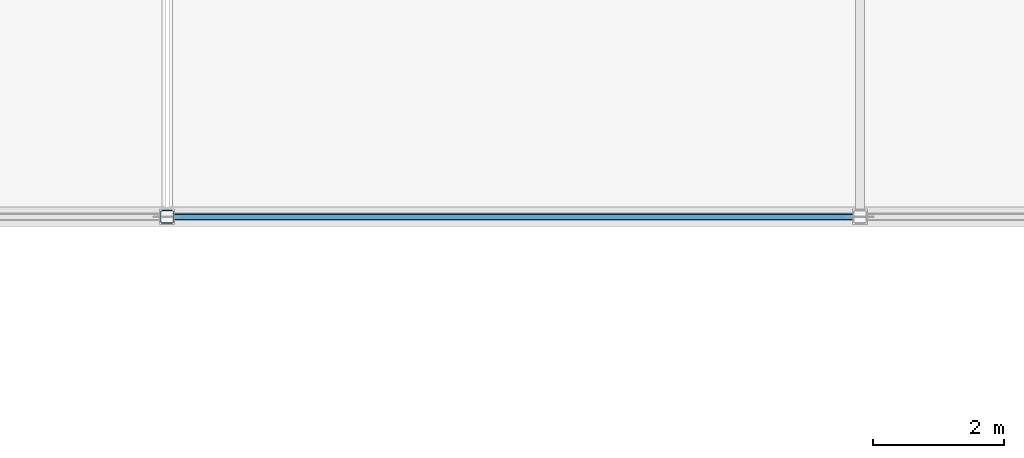
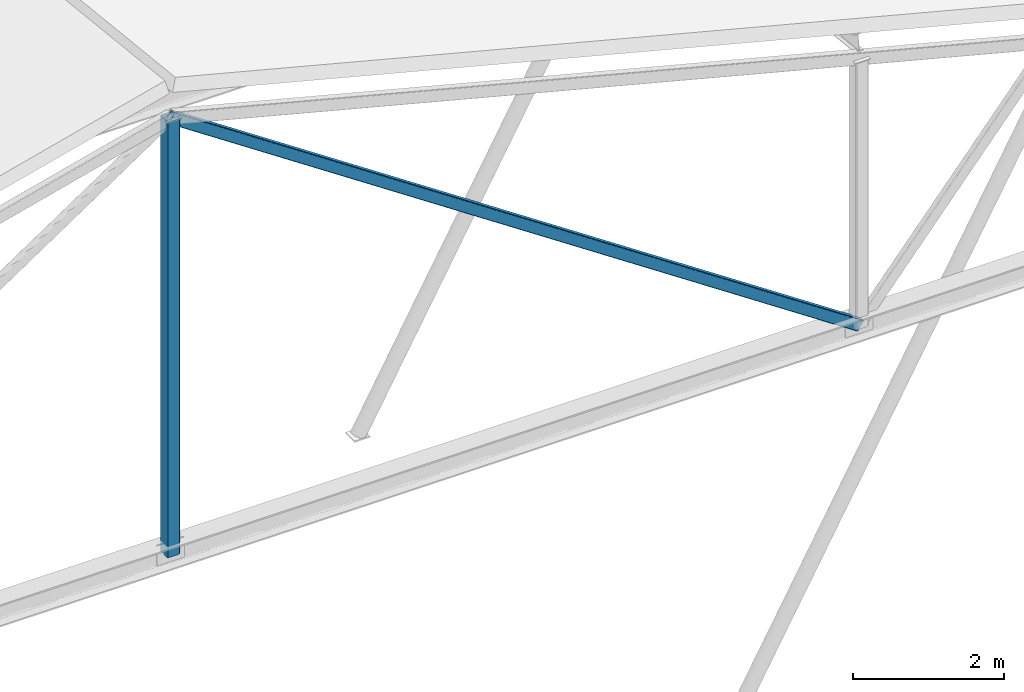
# One storey, part 10 of 56: 2 members.
"""IFC4 building model written with IfcOpenShell, lengths in metres."""

from ifc_helpers import new_model, si_unit, direction, frame, origin, origin_2d, place, context, subcontext, project, spatial, hollow_rectangle, extrude, material, material_profile, profile_set, type_object, element, save


model = new_model("IFC4")

# Units and contexts
model_context = context("Model", 3, precision=1e-05, world=origin(), true_north=direction((0.0, 1.0)))
body_context = subcontext(model_context, "Body", "Model", "MODEL_VIEW")
ifc_project = project(units=[si_unit("LENGTHUNIT", "METRE"), si_unit("AREAUNIT", "SQUARE_METRE"), si_unit("VOLUMEUNIT", "CUBIC_METRE"), si_unit("PLANEANGLEUNIT", "RADIAN"), si_unit("MASSUNIT", "GRAM", prefix="KILO")], contexts=[model_context])

# Site, building, storey
site_placement = place(None, origin())
site = spatial("IfcSite", under=ifc_project, at=site_placement, CompositionType="ELEMENT")
building_placement = place(site_placement, origin())
building = spatial("IfcBuilding", under=site, at=building_placement, Name="Bozkorgan Art Gallery", CompositionType="ELEMENT")
storey_placement = place(building_placement, frame((0.0, 0.0, 24.0)))
storey = spatial("IfcBuildingStorey", under=building, at=storey_placement, Name="L05", CompositionType="ELEMENT", Elevation=24.0)

# Members
ifc_material = material(Name="Steel S355J2", Category="steel")
ifc_material_profile_1 = material_profile(ifc_material, hollow_rectangle(XDim=0.199951171875, YDim=0.199951171875, WallThickness=0.010009765625, InnerFilletRadius=0.014892578125, OuterFilletRadius=0.02490234375, at=origin_2d()), Name="SHS 200x200x10")
ifc_profile_set_1 = profile_set([ifc_material_profile_1], Name="Steel S355J2")
member_type_1 = type_object("IfcMemberType", Name="MEMBER-TP-32", PredefinedType="POST", material=ifc_profile_set_1)
member_1_placement = place(storey_placement, frame((87.5, 47.60009765625, 0.179931640625), z_axis=(0.0, 0.0, 1.0), x_axis=(1.0, 0.0, 0.0)))
element("IfcMember", 1, at=member_1_placement, inside=storey, type_object=member_type_1, Name="ROOF-V4-MAIN roof truss 1 post 3", PredefinedType="POST", context=body_context, shape_type="SweptSolid", body=[
    extrude(hollow_rectangle(XDim=0.199951171875, YDim=0.199951171875, WallThickness=0.010009765625, InnerFilletRadius=0.014892578125, OuterFilletRadius=0.02490234375, at=origin_2d()), origin(), (0.0, 0.0, 1.0), 7.05712890625),
])
ifc_material_profile_2 = material_profile(ifc_material, hollow_rectangle(XDim=0.10009765625, YDim=0.179931640625, WallThickness=0.008056640625, InnerFilletRadius=0.011962890625, OuterFilletRadius=0.02001953125, at=origin_2d()), Name="RHS 180x100x8")
ifc_profile_set_2 = profile_set([ifc_material_profile_2], Name="Steel S355J2")
member_type_2 = type_object("IfcMemberType", Name="MEMBER-TW-22", PredefinedType="BRACE", material=ifc_profile_set_2)
member_2_placement = place(storey_placement, frame((87.5, 47.60009765625, 7.237060546875), z_axis=(0.831185206962, 0.0, -0.555995640026), x_axis=(0.0, 1.0, 0.0)))
element("IfcMember", 2, at=member_2_placement, inside=storey, type_object=member_type_2, Name="ROOF-V4-MAIN roof truss 1 diagonal 4", PredefinedType="BRACE", context=body_context, shape_type="SweptSolid", body=[
    extrude(hollow_rectangle(XDim=0.10009765625, YDim=0.179931640625, WallThickness=0.008056640625, InnerFilletRadius=0.011962890625, OuterFilletRadius=0.02001953125, at=origin_2d()), origin(), (0.0, 0.0, 1.0), 12.69287109375),
])

save(model, "model.ifc")
